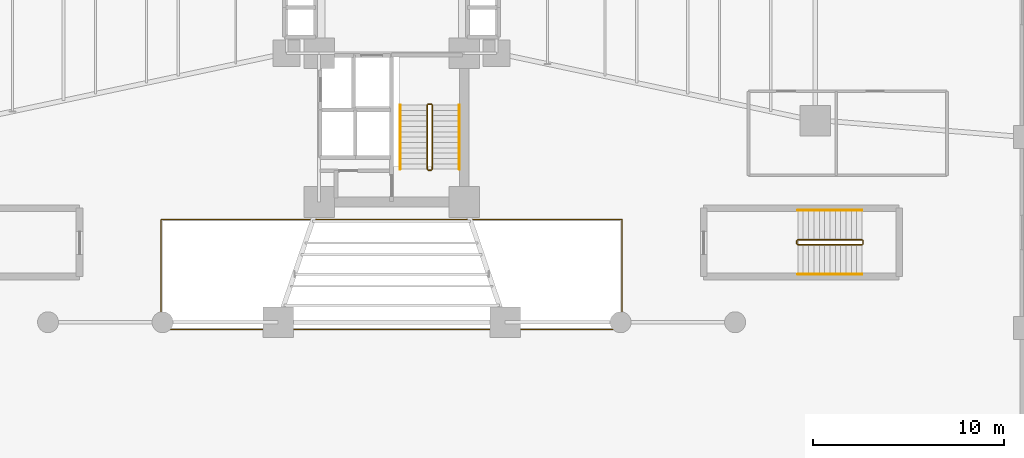
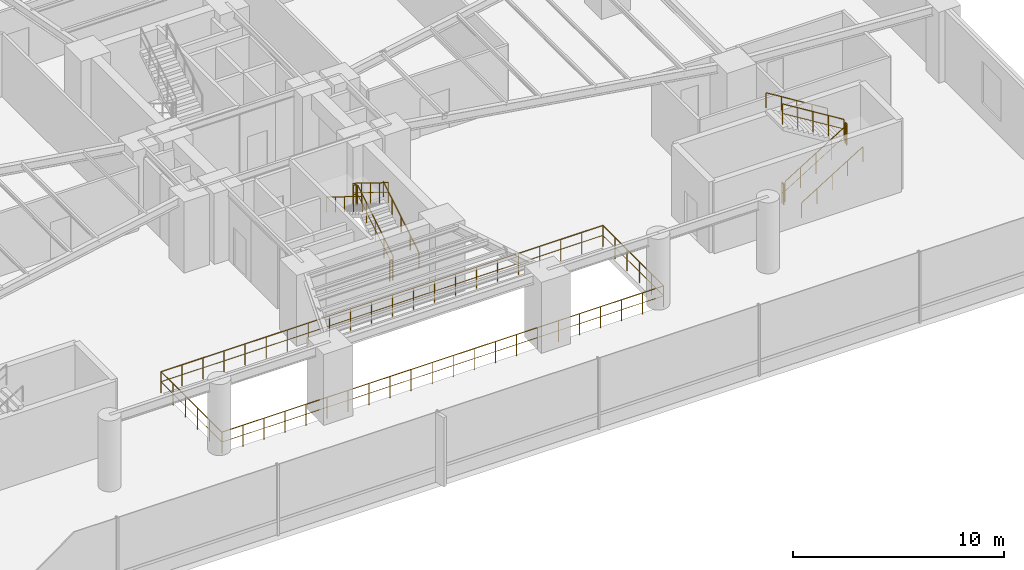
# One storey, part 21 of 23: 13 railings.
"""IFC4 building model written with IfcOpenShell, lengths in metres."""

from ifc_helpers import new_model, si_unit, direction, frame, origin, origin_2d, place, context, subcontext, project, spatial, circle, extrude, material, type_object, element, save


model = new_model("IFC4")

# Units and contexts
model_context = context("Model", 3, precision=1e-05, world=origin(), true_north=direction((0.0, 1.0)))
body_context = subcontext(model_context, "Body", "Model", "MODEL_VIEW")
ifc_project = project(units=[si_unit("LENGTHUNIT", "METRE"), si_unit("AREAUNIT", "SQUARE_METRE"), si_unit("VOLUMEUNIT", "CUBIC_METRE"), si_unit("PLANEANGLEUNIT", "RADIAN"), si_unit("MASSUNIT", "GRAM", prefix="KILO")], contexts=[model_context])

# Site, building, storey
site_placement = place(None, origin())
site = spatial("IfcSite", under=ifc_project, at=site_placement, CompositionType="ELEMENT")
building_placement = place(site_placement, origin())
building = spatial("IfcBuilding", under=site, at=building_placement, Name="Sahyath Konkavel Grand Hotel", CompositionType="ELEMENT")
storey_placement = place(building_placement, frame((0.0, 0.0, 4.800048828125)))
storey = spatial("IfcBuildingStorey", under=building, at=storey_placement, Name="L01", CompositionType="ELEMENT", Elevation=4.800048828125)

# Railings
ifc_material_1 = material(Name="Anodised Bronze Aluminium and Laminated Glass", Category="aluminium")
railing_type_1 = type_object("IfcRailingType", Name="RLG-ATRIUM-1250", PredefinedType="BALUSTRADE", material=ifc_material_1)
railing_1_placement = place(storey_placement, frame((-12.080078125, -16.8798828125, 0.0)))
element("IfcRailing", 1, at=railing_1_placement, inside=storey, type_object=railing_type_1, Name="L01 Podium Atrium Void Guard Balustrade", PredefinedType="BALUSTRADE", context=body_context, shape_type="SweptSolid", body=[
    extrude(circle(Radius=0.02392578125, at=origin_2d()), frame((0.001953125, 0.0, 1.22607421875), z_axis=(1.0, 0.0, 0.0), x_axis=(0.0, 1.0, 0.0)), (0.0, 0.0, 1.0), 24.15625),
    extrude(circle(Radius=0.01416015625, at=origin_2d()), frame((0.001953125, 0.0, 0.64990234375), z_axis=(1.0, 0.0, 0.0), x_axis=(0.0, 1.0, 0.0)), (0.0, 0.0, 1.0), 24.15625),
    extrude(circle(Radius=0.02392578125, at=origin_2d()), frame((24.16015625, 0.001953125, 1.22607421875), z_axis=(0.0, 1.0, 0.0), x_axis=(-1.0, 0.0, 0.0)), (0.0, 0.0, 1.0), 5.755859375),
    extrude(circle(Radius=0.01416015625, at=origin_2d()), frame((24.16015625, 0.001953125, 0.64990234375), z_axis=(0.0, 1.0, 0.0), x_axis=(-1.0, 0.0, 0.0)), (0.0, 0.0, 1.0), 5.755859375),
    extrude(circle(Radius=0.02392578125, at=origin_2d()), frame((24.158203125, 5.759765625, 1.22607421875), z_axis=(-1.0, 0.0, 0.0), x_axis=(0.0, -1.0, 0.0)), (0.0, 0.0, 1.0), 24.15625),
    extrude(circle(Radius=0.01416015625, at=origin_2d()), frame((24.158203125, 5.759765625, 0.64990234375), z_axis=(-1.0, 0.0, 0.0), x_axis=(0.0, -1.0, 0.0)), (0.0, 0.0, 1.0), 24.15625),
    extrude(circle(Radius=0.02392578125, at=origin_2d()), frame((0.0, 5.7578125, 1.22607421875), z_axis=(0.0, -1.0, 0.0), x_axis=(1.0, 0.0, 0.0)), (0.0, 0.0, 1.0), 5.755859375),
    extrude(circle(Radius=0.01416015625, at=origin_2d()), frame((0.0, 5.7578125, 0.64990234375), z_axis=(0.0, -1.0, 0.0), x_axis=(1.0, 0.0, 0.0)), (0.0, 0.0, 1.0), 5.755859375),
    extrude(circle(Radius=0.02099609375, at=origin_2d()), origin(), (0.0, 0.0, 1.0), 1.201904296875),
    extrude(circle(Radius=0.02099609375, at=origin_2d()), frame((1.150390625, 0.0, 0.0)), (0.0, 0.0, 1.0), 1.201904296875),
    extrude(circle(Radius=0.02099609375, at=origin_2d()), frame((2.301025390625, 0.0, 0.0)), (0.0, 0.0, 1.0), 1.201904296875),
    extrude(circle(Radius=0.02099609375, at=origin_2d()), frame((3.451416015625, 0.0, 0.0)), (0.0, 0.0, 1.0), 1.201904296875),
    extrude(circle(Radius=0.02099609375, at=origin_2d()), frame((4.60205078125, 0.0, 0.0)), (0.0, 0.0, 1.0), 1.201904296875),
    extrude(circle(Radius=0.02099609375, at=origin_2d()), frame((5.75244140625, 0.0, 0.0)), (0.0, 0.0, 1.0), 1.201904296875),
    extrude(circle(Radius=0.02099609375, at=origin_2d()), frame((6.90283203125, 0.0, 0.0)), (0.0, 0.0, 1.0), 1.201904296875),
    extrude(circle(Radius=0.02099609375, at=origin_2d()), frame((8.053466796875, 0.0, 0.0)), (0.0, 0.0, 1.0), 1.201904296875),
    extrude(circle(Radius=0.02099609375, at=origin_2d()), frame((9.203857421875, 0.0, 0.0)), (0.0, 0.0, 1.0), 1.201904296875),
    extrude(circle(Radius=0.02099609375, at=origin_2d()), frame((10.354248046875, 0.0, 0.0)), (0.0, 0.0, 1.0), 1.201904296875),
    extrude(circle(Radius=0.02099609375, at=origin_2d()), frame((11.5048828125, 0.0, 0.0)), (0.0, 0.0, 1.0), 1.201904296875),
    extrude(circle(Radius=0.02099609375, at=origin_2d()), frame((12.6552734375, 0.0, 0.0)), (0.0, 0.0, 1.0), 1.201904296875),
    extrude(circle(Radius=0.02099609375, at=origin_2d()), frame((13.805908203125, 0.0, 0.0)), (0.0, 0.0, 1.0), 1.201904296875),
    extrude(circle(Radius=0.02099609375, at=origin_2d()), frame((14.956298828125, 0.0, 0.0)), (0.0, 0.0, 1.0), 1.201904296875),
    extrude(circle(Radius=0.02099609375, at=origin_2d()), frame((16.106689453125, 0.0, 0.0)), (0.0, 0.0, 1.0), 1.201904296875),
    extrude(circle(Radius=0.02099609375, at=origin_2d()), frame((17.25732421875, 0.0, 0.0)), (0.0, 0.0, 1.0), 1.201904296875),
    extrude(circle(Radius=0.02099609375, at=origin_2d()), frame((18.40771484375, 0.0, 0.0)), (0.0, 0.0, 1.0), 1.201904296875),
    extrude(circle(Radius=0.02099609375, at=origin_2d()), frame((19.55810546875, 0.0, 0.0)), (0.0, 0.0, 1.0), 1.201904296875),
    extrude(circle(Radius=0.02099609375, at=origin_2d()), frame((20.708740234375, 0.0, 0.0)), (0.0, 0.0, 1.0), 1.201904296875),
    extrude(circle(Radius=0.02099609375, at=origin_2d()), frame((21.859130859375, 0.0, 0.0)), (0.0, 0.0, 1.0), 1.201904296875),
    extrude(circle(Radius=0.02099609375, at=origin_2d()), frame((23.009765625, 0.0, 0.0)), (0.0, 0.0, 1.0), 1.201904296875),
    extrude(circle(Radius=0.02099609375, at=origin_2d()), frame((24.16015625, 0.0, 0.0)), (0.0, 0.0, 1.0), 1.201904296875),
    extrude(circle(Radius=0.02099609375, at=origin_2d()), frame((24.16015625, 1.15185546875, 0.0)), (0.0, 0.0, 1.0), 1.201904296875),
    extrude(circle(Radius=0.02099609375, at=origin_2d()), frame((24.16015625, 2.303955078125, 0.0)), (0.0, 0.0, 1.0), 1.201904296875),
    extrude(circle(Radius=0.02099609375, at=origin_2d()), frame((24.16015625, 3.455810546875, 0.0)), (0.0, 0.0, 1.0), 1.201904296875),
    extrude(circle(Radius=0.02099609375, at=origin_2d()), frame((24.16015625, 4.60791015625, 0.0)), (0.0, 0.0, 1.0), 1.201904296875),
    extrude(circle(Radius=0.02099609375, at=origin_2d()), frame((24.16015625, 5.759765625, 0.0)), (0.0, 0.0, 1.0), 1.201904296875),
    extrude(circle(Radius=0.02099609375, at=origin_2d()), frame((23.009765625, 5.759765625, 0.0)), (0.0, 0.0, 1.0), 1.201904296875),
    extrude(circle(Radius=0.02099609375, at=origin_2d()), frame((21.859130859375, 5.759765625, 0.0)), (0.0, 0.0, 1.0), 1.201904296875),
    extrude(circle(Radius=0.02099609375, at=origin_2d()), frame((20.708740234375, 5.759765625, 0.0)), (0.0, 0.0, 1.0), 1.201904296875),
    extrude(circle(Radius=0.02099609375, at=origin_2d()), frame((19.55810546875, 5.759765625, 0.0)), (0.0, 0.0, 1.0), 1.201904296875),
    extrude(circle(Radius=0.02099609375, at=origin_2d()), frame((18.40771484375, 5.759765625, 0.0)), (0.0, 0.0, 1.0), 1.201904296875),
    extrude(circle(Radius=0.02099609375, at=origin_2d()), frame((17.25732421875, 5.759765625, 0.0)), (0.0, 0.0, 1.0), 1.201904296875),
    extrude(circle(Radius=0.02099609375, at=origin_2d()), frame((16.106689453125, 5.759765625, 0.0)), (0.0, 0.0, 1.0), 1.201904296875),
    extrude(circle(Radius=0.02099609375, at=origin_2d()), frame((14.956298828125, 5.759765625, 0.0)), (0.0, 0.0, 1.0), 1.201904296875),
    extrude(circle(Radius=0.02099609375, at=origin_2d()), frame((13.805908203125, 5.759765625, 0.0)), (0.0, 0.0, 1.0), 1.201904296875),
    extrude(circle(Radius=0.02099609375, at=origin_2d()), frame((12.6552734375, 5.759765625, 0.0)), (0.0, 0.0, 1.0), 1.201904296875),
    extrude(circle(Radius=0.02099609375, at=origin_2d()), frame((11.5048828125, 5.759765625, 0.0)), (0.0, 0.0, 1.0), 1.201904296875),
    extrude(circle(Radius=0.02099609375, at=origin_2d()), frame((10.354248046875, 5.759765625, 0.0)), (0.0, 0.0, 1.0), 1.201904296875),
    extrude(circle(Radius=0.02099609375, at=origin_2d()), frame((9.203857421875, 5.759765625, 0.0)), (0.0, 0.0, 1.0), 1.201904296875),
    extrude(circle(Radius=0.02099609375, at=origin_2d()), frame((8.053466796875, 5.759765625, 0.0)), (0.0, 0.0, 1.0), 1.201904296875),
    extrude(circle(Radius=0.02099609375, at=origin_2d()), frame((6.90283203125, 5.759765625, 0.0)), (0.0, 0.0, 1.0), 1.201904296875),
    extrude(circle(Radius=0.02099609375, at=origin_2d()), frame((5.75244140625, 5.759765625, 0.0)), (0.0, 0.0, 1.0), 1.201904296875),
    extrude(circle(Radius=0.02099609375, at=origin_2d()), frame((4.60205078125, 5.759765625, 0.0)), (0.0, 0.0, 1.0), 1.201904296875),
    extrude(circle(Radius=0.02099609375, at=origin_2d()), frame((3.451416015625, 5.759765625, 0.0)), (0.0, 0.0, 1.0), 1.201904296875),
    extrude(circle(Radius=0.02099609375, at=origin_2d()), frame((2.301025390625, 5.759765625, 0.0)), (0.0, 0.0, 1.0), 1.201904296875),
    extrude(circle(Radius=0.02099609375, at=origin_2d()), frame((1.150390625, 5.759765625, 0.0)), (0.0, 0.0, 1.0), 1.201904296875),
    extrude(circle(Radius=0.02099609375, at=origin_2d()), frame((0.0, 5.759765625, 0.0)), (0.0, 0.0, 1.0), 1.201904296875),
    extrude(circle(Radius=0.02099609375, at=origin_2d()), frame((0.0, 4.60791015625, 0.0)), (0.0, 0.0, 1.0), 1.201904296875),
    extrude(circle(Radius=0.02099609375, at=origin_2d()), frame((0.0, 3.455810546875, 0.0)), (0.0, 0.0, 1.0), 1.201904296875),
    extrude(circle(Radius=0.02099609375, at=origin_2d()), frame((0.0, 2.303955078125, 0.0)), (0.0, 0.0, 1.0), 1.201904296875),
    extrude(circle(Radius=0.02099609375, at=origin_2d()), frame((0.0, 1.15185546875, 0.0)), (0.0, 0.0, 1.0), 1.201904296875),
])
ifc_material_2 = material(Name="Steel E350", Category="steel")
railing_type_2 = type_object("IfcRailingType", Name="RLG-STAIR-GRD", PredefinedType="GUARDRAIL", material=ifc_material_2)
railing_2_placement = place(storey_placement, frame((2.1298828125, -8.47998046875, 0.173095703125)))
element("IfcRailing", 2, at=railing_2_placement, inside=storey, type_object=railing_type_2, Name="L01 ST-2 stair guard 1", PredefinedType="GUARDRAIL", context=body_context, shape_type="SweptSolid", body=[
    extrude(circle(Radius=0.02392578125, at=origin_2d()), frame((0.0, 0.001708984375, 1.177001953125), z_axis=(0.0, 0.850606129759, 0.525803396734), x_axis=(-1.0, 0.0, 0.0)), (0.0, 0.0, 1.0), 3.946044921875),
    extrude(circle(Radius=0.01416015625, at=origin_2d()), frame((0.0, 0.001708984375, 0.625), z_axis=(0.0, 0.850606129759, 0.525803396734), x_axis=(-1.0, 0.0, 0.0)), (0.0, 0.0, 1.0), 3.946044921875),
    extrude(circle(Radius=0.02099609375, at=origin_2d()), origin(), (0.0, 0.0, 1.0), 1.15185546875),
    extrude(circle(Radius=0.02099609375, at=origin_2d()), frame((0.0, 0.83984375, 0.519287109375)), (0.0, 0.0, 1.0), 1.15185546875),
    extrude(circle(Radius=0.02099609375, at=origin_2d()), frame((0.0, 1.679931640625, 1.03857421875)), (0.0, 0.0, 1.0), 1.15185546875),
    extrude(circle(Radius=0.02099609375, at=origin_2d()), frame((0.0, 2.52001953125, 1.5576171875)), (0.0, 0.0, 1.0), 1.15185546875),
    extrude(circle(Radius=0.02099609375, at=origin_2d()), frame((0.0, 3.35986328125, 2.076904296875)), (0.0, 0.0, 1.0), 1.15185546875),
])
railing_3_placement = place(storey_placement, frame((2.080078125, -5.070068359375, 2.25)))
element("IfcRailing", 3, at=railing_3_placement, inside=storey, type_object=railing_type_2, Name="L01 ST-2 stair guard 2", PredefinedType="GUARDRAIL", context=body_context, shape_type="SweptSolid", body=[
    extrude(circle(Radius=0.02392578125, at=origin_2d()), frame((-0.001953125, 0.0, 1.17578125), z_axis=(-1.0, 0.0, 0.0), x_axis=(0.0, -1.0, 0.0)), (0.0, 0.0, 1.0), 0.15625),
    extrude(circle(Radius=0.01416015625, at=origin_2d()), frame((-0.001953125, 0.0, 0.6240234375), z_axis=(-1.0, 0.0, 0.0), x_axis=(0.0, -1.0, 0.0)), (0.0, 0.0, 1.0), 0.15625),
    extrude(circle(Radius=0.02099609375, at=origin_2d()), origin(), (0.0, 0.0, 1.0), 1.15185546875),
    extrude(circle(Radius=0.02099609375, at=origin_2d()), frame((-0.16015625, 0.0, 0.0)), (0.0, 0.0, 1.0), 1.15185546875),
])
railing_4_placement = place(storey_placement, frame((1.8701171875, -5.1201171875, 2.423095703125)))
element("IfcRailing", 4, at=railing_4_placement, inside=storey, type_object=railing_type_2, Name="L01 ST-2 stair guard 3", PredefinedType="GUARDRAIL", context=body_context, shape_type="SweptSolid", body=[
    extrude(circle(Radius=0.02392578125, at=origin_2d()), frame((0.0, -0.001708984375, 1.177001953125), z_axis=(0.0, -0.850606129759, 0.525803396734), x_axis=(1.0, 0.0, 0.0)), (0.0, 0.0, 1.0), 3.946044921875),
    extrude(circle(Radius=0.01416015625, at=origin_2d()), frame((0.0, -0.001708984375, 0.625), z_axis=(0.0, -0.850606129759, 0.525803396734), x_axis=(1.0, 0.0, 0.0)), (0.0, 0.0, 1.0), 3.946044921875),
    extrude(circle(Radius=0.02099609375, at=origin_2d()), origin(), (0.0, 0.0, 1.0), 1.15185546875),
    extrude(circle(Radius=0.02099609375, at=origin_2d()), frame((0.0, -0.83984375, 0.519287109375)), (0.0, 0.0, 1.0), 1.15185546875),
    extrude(circle(Radius=0.02099609375, at=origin_2d()), frame((0.0, -1.679931640625, 1.03857421875)), (0.0, 0.0, 1.0), 1.15185546875),
    extrude(circle(Radius=0.02099609375, at=origin_2d()), frame((0.0, -2.52001953125, 1.5576171875)), (0.0, 0.0, 1.0), 1.15185546875),
    extrude(circle(Radius=0.02099609375, at=origin_2d()), frame((0.0, -3.35986328125, 2.076904296875)), (0.0, 0.0, 1.0), 1.15185546875),
])
railing_5_placement = place(storey_placement, frame((2.080078125, -8.530029296875, 0.0)))
element("IfcRailing", 5, at=railing_5_placement, inside=storey, type_object=railing_type_2, Name="L01 ST-2 stair guard 4", PredefinedType="GUARDRAIL", context=body_context, shape_type="SweptSolid", body=[
    extrude(circle(Radius=0.02392578125, at=origin_2d()), frame((-0.001953125, 0.0, 1.17578125), z_axis=(-1.0, 0.0, 0.0), x_axis=(0.0, -1.0, 0.0)), (0.0, 0.0, 1.0), 0.15625),
    extrude(circle(Radius=0.01416015625, at=origin_2d()), frame((-0.001953125, 0.0, 0.6240234375), z_axis=(-1.0, 0.0, 0.0), x_axis=(0.0, -1.0, 0.0)), (0.0, 0.0, 1.0), 0.15625),
    extrude(circle(Radius=0.02099609375, at=origin_2d()), origin(), (0.0, 0.0, 1.0), 1.15185546875),
    extrude(circle(Radius=0.02099609375, at=origin_2d()), frame((-0.16015625, 0.0, 0.0)), (0.0, 0.0, 1.0), 1.15185546875),
])
railing_6_placement = place(storey_placement, frame((21.2900390625, -12.43994140625, 0.173095703125)))
element("IfcRailing", 6, at=railing_6_placement, inside=storey, type_object=railing_type_2, Name="L01 ST-P4 stair guard 1", PredefinedType="GUARDRAIL", context=body_context, shape_type="SweptSolid", body=[
    extrude(circle(Radius=0.02392578125, at=origin_2d()), frame((0.001708984375, 0.0, 1.177001953125), z_axis=(0.850606129759, 0.0, 0.525803396734), x_axis=(0.0, 1.0, 0.0)), (0.0, 0.0, 1.0), 3.946044921875),
    extrude(circle(Radius=0.01416015625, at=origin_2d()), frame((0.001708984375, 0.0, 0.625), z_axis=(0.850606129759, 0.0, 0.525803396734), x_axis=(0.0, 1.0, 0.0)), (0.0, 0.0, 1.0), 3.946044921875),
    extrude(circle(Radius=0.02099609375, at=origin_2d()), origin(), (0.0, 0.0, 1.0), 1.15185546875),
    extrude(circle(Radius=0.02099609375, at=origin_2d()), frame((0.83984375, 0.0, 0.519287109375)), (0.0, 0.0, 1.0), 1.15185546875),
    extrude(circle(Radius=0.02099609375, at=origin_2d()), frame((1.679931640625, 0.0, 1.03857421875)), (0.0, 0.0, 1.0), 1.15185546875),
    extrude(circle(Radius=0.02099609375, at=origin_2d()), frame((2.52001953125, 0.0, 1.5576171875)), (0.0, 0.0, 1.0), 1.15185546875),
    extrude(circle(Radius=0.02099609375, at=origin_2d()), frame((3.35986328125, 0.0, 2.076904296875)), (0.0, 0.0, 1.0), 1.15185546875),
])
railing_7_placement = place(storey_placement, frame((24.699951171875, -12.389892578125, 2.25)))
element("IfcRailing", 7, at=railing_7_placement, inside=storey, type_object=railing_type_2, Name="L01 ST-P4 stair guard 2", PredefinedType="GUARDRAIL", context=body_context, shape_type="SweptSolid", body=[
    extrude(circle(Radius=0.02392578125, at=origin_2d()), frame((0.0, 0.001953125, 1.17578125), z_axis=(0.0, 1.0, 0.0), x_axis=(-1.0, 0.0, 0.0)), (0.0, 0.0, 1.0), 0.156005859375),
    extrude(circle(Radius=0.01416015625, at=origin_2d()), frame((0.0, 0.001953125, 0.6240234375), z_axis=(0.0, 1.0, 0.0), x_axis=(-1.0, 0.0, 0.0)), (0.0, 0.0, 1.0), 0.156005859375),
    extrude(circle(Radius=0.02099609375, at=origin_2d()), origin(), (0.0, 0.0, 1.0), 1.15185546875),
    extrude(circle(Radius=0.02099609375, at=origin_2d()), frame((0.0, 0.159912109375, 0.0)), (0.0, 0.0, 1.0), 1.15185546875),
])
railing_8_placement = place(storey_placement, frame((24.64990234375, -12.179931640625, 2.423095703125)))
element("IfcRailing", 8, at=railing_8_placement, inside=storey, type_object=railing_type_2, Name="L01 ST-P4 stair guard 3", PredefinedType="GUARDRAIL", context=body_context, shape_type="SweptSolid", body=[
    extrude(circle(Radius=0.02392578125, at=origin_2d()), frame((-0.001708984375, 0.0, 1.177001953125), z_axis=(-0.850606129759, 0.0, 0.525803396734), x_axis=(0.0, -1.0, 0.0)), (0.0, 0.0, 1.0), 3.946044921875),
    extrude(circle(Radius=0.01416015625, at=origin_2d()), frame((-0.001708984375, 0.0, 0.625), z_axis=(-0.850606129759, 0.0, 0.525803396734), x_axis=(0.0, -1.0, 0.0)), (0.0, 0.0, 1.0), 3.946044921875),
    extrude(circle(Radius=0.02099609375, at=origin_2d()), origin(), (0.0, 0.0, 1.0), 1.15185546875),
    extrude(circle(Radius=0.02099609375, at=origin_2d()), frame((-0.83984375, 0.0, 0.519287109375)), (0.0, 0.0, 1.0), 1.15185546875),
    extrude(circle(Radius=0.02099609375, at=origin_2d()), frame((-1.679931640625, 0.0, 1.03857421875)), (0.0, 0.0, 1.0), 1.15185546875),
    extrude(circle(Radius=0.02099609375, at=origin_2d()), frame((-2.52001953125, 0.0, 1.5576171875)), (0.0, 0.0, 1.0), 1.15185546875),
    extrude(circle(Radius=0.02099609375, at=origin_2d()), frame((-3.35986328125, 0.0, 2.076904296875)), (0.0, 0.0, 1.0), 1.15185546875),
])
railing_9_placement = place(storey_placement, frame((21.239990234375, -12.389892578125, 0.0)))
element("IfcRailing", 9, at=railing_9_placement, inside=storey, type_object=railing_type_2, Name="L01 ST-P4 stair guard 4", PredefinedType="GUARDRAIL", context=body_context, shape_type="SweptSolid", body=[
    extrude(circle(Radius=0.02392578125, at=origin_2d()), frame((0.0, 0.001953125, 1.17578125), z_axis=(0.0, 1.0, 0.0), x_axis=(-1.0, 0.0, 0.0)), (0.0, 0.0, 1.0), 0.156005859375),
    extrude(circle(Radius=0.01416015625, at=origin_2d()), frame((0.0, 0.001953125, 0.6240234375), z_axis=(0.0, 1.0, 0.0), x_axis=(-1.0, 0.0, 0.0)), (0.0, 0.0, 1.0), 0.156005859375),
    extrude(circle(Radius=0.02099609375, at=origin_2d()), origin(), (0.0, 0.0, 1.0), 1.15185546875),
    extrude(circle(Radius=0.02099609375, at=origin_2d()), frame((0.0, 0.159912109375, 0.0)), (0.0, 0.0, 1.0), 1.15185546875),
])
ifc_material_3 = material(Name="Anodised Bronze Aluminium", Category="aluminium")
railing_type_3 = type_object("IfcRailingType", Name="RLG-STAIR-HND", PredefinedType="HANDRAIL", material=ifc_material_3)
railing_10_placement = place(storey_placement, frame((3.550048828125, -8.47998046875, 0.173095703125)))
element("IfcRailing", 10, at=railing_10_placement, inside=storey, type_object=railing_type_3, Name="L01 ST-2 stair handrail 1", PredefinedType="HANDRAIL", context=body_context, shape_type="SweptSolid", body=[
    extrude(circle(Radius=0.02392578125, at=origin_2d()), frame((0.0, 0.001708984375, 0.876953125), z_axis=(0.0, 0.850606129759, 0.525803396734), x_axis=(-1.0, 0.0, 0.0)), (0.0, 0.0, 1.0), 3.946044921875),
    extrude(circle(Radius=0.02099609375, at=origin_2d()), origin(), (0.0, 0.0, 1.0), 0.851806640625),
    extrude(circle(Radius=0.02099609375, at=origin_2d()), frame((0.0, 0.83984375, 0.519287109375)), (0.0, 0.0, 1.0), 0.851806640625),
    extrude(circle(Radius=0.02099609375, at=origin_2d()), frame((0.0, 1.679931640625, 1.03857421875)), (0.0, 0.0, 1.0), 0.851806640625),
    extrude(circle(Radius=0.02099609375, at=origin_2d()), frame((0.0, 2.52001953125, 1.5576171875)), (0.0, 0.0, 1.0), 0.851806640625),
    extrude(circle(Radius=0.02099609375, at=origin_2d()), frame((0.0, 3.35986328125, 2.076904296875)), (0.0, 0.0, 1.0), 0.851806640625),
])
railing_11_placement = place(storey_placement, frame((0.449951171875, -5.1201171875, 2.423095703125)))
element("IfcRailing", 11, at=railing_11_placement, inside=storey, type_object=railing_type_3, Name="L01 ST-2 stair handrail 2", PredefinedType="HANDRAIL", context=body_context, shape_type="SweptSolid", body=[
    extrude(circle(Radius=0.02392578125, at=origin_2d()), frame((0.0, -0.001708984375, 0.876953125), z_axis=(0.0, -0.850606129759, 0.525803396734), x_axis=(1.0, 0.0, 0.0)), (0.0, 0.0, 1.0), 3.946044921875),
    extrude(circle(Radius=0.02099609375, at=origin_2d()), origin(), (0.0, 0.0, 1.0), 0.851806640625),
    extrude(circle(Radius=0.02099609375, at=origin_2d()), frame((0.0, -0.83984375, 0.519287109375)), (0.0, 0.0, 1.0), 0.851806640625),
    extrude(circle(Radius=0.02099609375, at=origin_2d()), frame((0.0, -1.679931640625, 1.03857421875)), (0.0, 0.0, 1.0), 0.851806640625),
    extrude(circle(Radius=0.02099609375, at=origin_2d()), frame((0.0, -2.52001953125, 1.5576171875)), (0.0, 0.0, 1.0), 0.851806640625),
    extrude(circle(Radius=0.02099609375, at=origin_2d()), frame((0.0, -3.35986328125, 2.076904296875)), (0.0, 0.0, 1.0), 0.851806640625),
])
railing_12_placement = place(storey_placement, frame((21.2900390625, -13.989990234375, 0.173095703125)))
element("IfcRailing", 12, at=railing_12_placement, inside=storey, type_object=railing_type_3, Name="L01 ST-P4 stair handrail 1", PredefinedType="HANDRAIL", context=body_context, shape_type="SweptSolid", body=[
    extrude(circle(Radius=0.02392578125, at=origin_2d()), frame((0.001708984375, 0.0, 0.876953125), z_axis=(0.850606129759, 0.0, 0.525803396734), x_axis=(0.0, 1.0, 0.0)), (0.0, 0.0, 1.0), 3.946044921875),
    extrude(circle(Radius=0.02099609375, at=origin_2d()), origin(), (0.0, 0.0, 1.0), 0.851806640625),
    extrude(circle(Radius=0.02099609375, at=origin_2d()), frame((0.83984375, 0.0, 0.519287109375)), (0.0, 0.0, 1.0), 0.851806640625),
    extrude(circle(Radius=0.02099609375, at=origin_2d()), frame((1.679931640625, 0.0, 1.03857421875)), (0.0, 0.0, 1.0), 0.851806640625),
    extrude(circle(Radius=0.02099609375, at=origin_2d()), frame((2.52001953125, 0.0, 1.5576171875)), (0.0, 0.0, 1.0), 0.851806640625),
    extrude(circle(Radius=0.02099609375, at=origin_2d()), frame((3.35986328125, 0.0, 2.076904296875)), (0.0, 0.0, 1.0), 0.851806640625),
])
railing_13_placement = place(storey_placement, frame((24.64990234375, -10.6298828125, 2.423095703125)))
element("IfcRailing", 13, at=railing_13_placement, inside=storey, type_object=railing_type_3, Name="L01 ST-P4 stair handrail 2", PredefinedType="HANDRAIL", context=body_context, shape_type="SweptSolid", body=[
    extrude(circle(Radius=0.02392578125, at=origin_2d()), frame((-0.001708984375, 0.0, 0.876953125), z_axis=(-0.850606129759, 0.0, 0.525803396734), x_axis=(0.0, -1.0, 0.0)), (0.0, 0.0, 1.0), 3.946044921875),
    extrude(circle(Radius=0.02099609375, at=origin_2d()), origin(), (0.0, 0.0, 1.0), 0.851806640625),
    extrude(circle(Radius=0.02099609375, at=origin_2d()), frame((-0.83984375, 0.0, 0.519287109375)), (0.0, 0.0, 1.0), 0.851806640625),
    extrude(circle(Radius=0.02099609375, at=origin_2d()), frame((-1.679931640625, 0.0, 1.03857421875)), (0.0, 0.0, 1.0), 0.851806640625),
    extrude(circle(Radius=0.02099609375, at=origin_2d()), frame((-2.52001953125, 0.0, 1.5576171875)), (0.0, 0.0, 1.0), 0.851806640625),
    extrude(circle(Radius=0.02099609375, at=origin_2d()), frame((-3.35986328125, 0.0, 2.076904296875)), (0.0, 0.0, 1.0), 0.851806640625),
])

save(model, "model.ifc")
